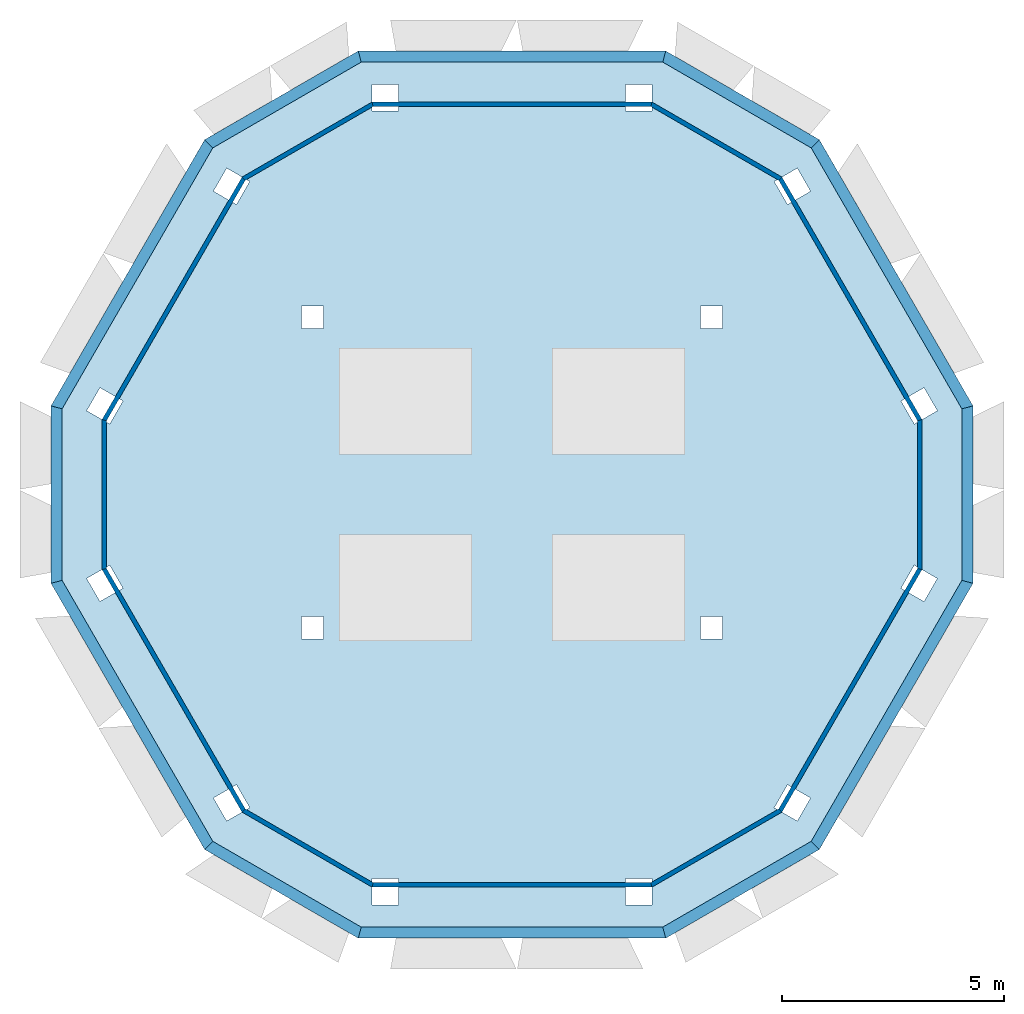
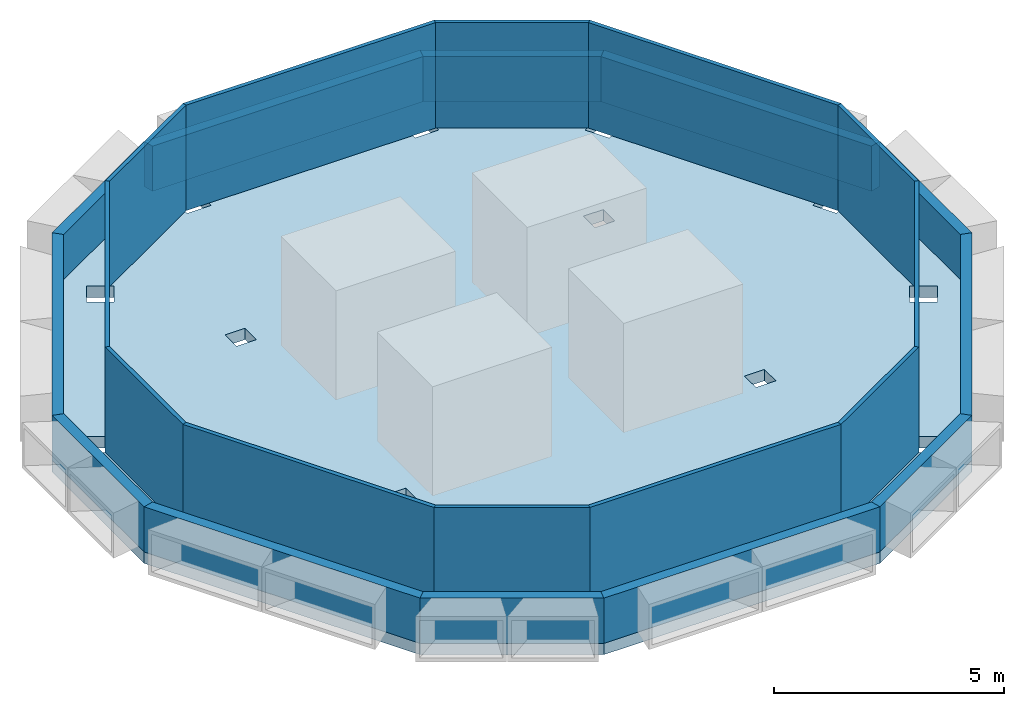
# One storey, part 1 of 3: 24 walls, 1 slab.
"""IFC4 building model written with IfcOpenShell, lengths in metres."""

from ifc_helpers import new_model, si_unit, direction, frame, origin, place, context, subcontext, project, spatial, polyline, outline, extrude, material, layer, layer_set, type_object, element, save


model = new_model("IFC4")

# Units and contexts
model_context = context("Model", 3, precision=1e-05, world=origin(), true_north=direction((0.0, 1.0)))
body_context = subcontext(model_context, "Body", "Model", "MODEL_VIEW")
ifc_project = project(units=[si_unit("LENGTHUNIT", "METRE"), si_unit("AREAUNIT", "SQUARE_METRE"), si_unit("VOLUMEUNIT", "CUBIC_METRE"), si_unit("PLANEANGLEUNIT", "RADIAN"), si_unit("MASSUNIT", "GRAM", prefix="KILO")], contexts=[model_context])

# Site, building, storey
site_placement = place(None, origin())
site = spatial("IfcSite", under=ifc_project, at=site_placement, CompositionType="ELEMENT")
building_placement = place(site_placement, origin())
building = spatial("IfcBuilding", under=site, at=building_placement, Name="Beryl Residences", CompositionType="ELEMENT")
storey_placement = place(building_placement, frame((0.0, 0.0, 262.800048828125)))
storey = spatial("IfcBuildingStorey", under=building, at=storey_placement, Name="ROOF", CompositionType="ELEMENT", Elevation=262.800048828125)

# Slab
ifc_material_1 = material(Name="Concrete C40/50", Category="concrete")
ifc_layer_1 = layer(ifc_material_1, 0.300048828125)
ifc_layer_set_1 = layer_set([ifc_layer_1], Name="SL17 roof top slab 300 mm C40/50")
slab_type = type_object("IfcSlabType", Name="SL17 roof top slab 300 mm C40/50", PredefinedType="ROOF", material=ifc_layer_set_1)
slab_placement = place(storey_placement, frame((0.0, 0.0, -0.300048828125)))
element("IfcSlab", 1, at=slab_placement, inside=storey, type_object=slab_type, Name="ROOF 1", PredefinedType="ROOF", context=body_context, shape_type="SweptSolid", body=[
    extrude(outline(polyline([(6.928955078125, 8.0), (10.39208984375, 2.0), (10.39208984375, -2.0), (6.928955078125, -8.0), (3.465087890625, -10.0), (-3.465087890625, -10.0), (-6.928955078125, -8.0), (-10.39208984375, -2.0), (-10.39208984375, 2.0), (-6.928955078125, 8.0), (-3.465087890625, 10.0), (3.465087890625, 10.0), (6.928955078125, 8.0)]), holes=[polyline([(9.289794921875, 2.409912109375), (8.770263671875, 2.10986328125), (9.0703125, 1.590087890625), (9.58984375, 1.89013671875), (9.289794921875, 2.409912109375)]), polyline([(9.5888671875, -1.89111328125), (9.069091796875, -1.59130859375), (8.769287109375, -2.11083984375), (9.288818359375, -2.410888671875), (9.5888671875, -1.89111328125)]), polyline([(6.731689453125, -6.840087890625), (6.212158203125, -6.540283203125), (5.912109375, -7.059814453125), (6.431884765625, -7.35986328125), (6.731689453125, -6.840087890625)]), polyline([(6.431884765625, 7.35888671875), (5.912109375, 7.058837890625), (6.212158203125, 6.539306640625), (6.731689453125, 6.839111328125), (6.431884765625, 7.35888671875)]), polyline([(4.75, 3.75), (4.75, 4.25), (4.25, 4.25), (4.25, 3.75), (4.75, 3.75)]), polyline([(4.75, -3.25), (4.75, -2.75), (4.25, -2.75), (4.25, -3.25), (4.75, -3.25)]), polyline([(2.55908203125, 9.25), (2.55908203125, 8.64990234375), (3.158935546875, 8.64990234375), (3.158935546875, 9.25), (2.55908203125, 9.25)]), polyline([(3.158935546875, -9.25), (3.158935546875, -8.64990234375), (2.55908203125, -8.64990234375), (2.55908203125, -9.25), (3.158935546875, -9.25)]), polyline([(-2.55908203125, -9.25), (-2.55908203125, -8.64990234375), (-3.158935546875, -8.64990234375), (-3.158935546875, -9.25), (-2.55908203125, -9.25)]), polyline([(-3.158935546875, 9.25), (-3.158935546875, 8.64990234375), (-2.55908203125, 8.64990234375), (-2.55908203125, 9.25), (-3.158935546875, 9.25)]), polyline([(-4.25, 3.75), (-4.25, 4.25), (-4.75, 4.25), (-4.75, 3.75), (-4.25, 3.75)]), polyline([(-4.25, -3.25), (-4.25, -2.75), (-4.75, -2.75), (-4.75, -3.25), (-4.25, -3.25)]), polyline([(-6.431884765625, -7.35888671875), (-5.912109375, -7.058837890625), (-6.212158203125, -6.539306640625), (-6.731689453125, -6.839111328125), (-6.431884765625, -7.35888671875)]), polyline([(-6.731689453125, 6.840087890625), (-6.212158203125, 6.540283203125), (-5.912109375, 7.059814453125), (-6.431884765625, 7.35986328125), (-6.731689453125, 6.840087890625)]), polyline([(-9.5888671875, 1.89111328125), (-9.069091796875, 1.59130859375), (-8.769287109375, 2.11083984375), (-9.288818359375, 2.410888671875), (-9.5888671875, 1.89111328125)]), polyline([(-9.289794921875, -2.409912109375), (-8.770263671875, -2.10986328125), (-9.0703125, -1.590087890625), (-9.58984375, -1.89013671875), (-9.289794921875, -2.409912109375)])]), origin(), (0.0, 0.0, 1.0), 0.300048828125),
])

# Walls
ifc_material_2 = material(Name="Precast concrete C40/50", Category="concrete")
ifc_layer_2 = layer(ifc_material_2, 0.25)
ifc_layer_set_2 = layer_set([ifc_layer_2], Name="PA1 roof parapet 250 mm")
wall_type_1 = type_object("IfcWallType", Name="PA1 roof parapet 250 mm", PredefinedType="PARAPET", material=ifc_layer_set_2)
wall_1_placement = place(storey_placement, frame((3.403076171875, 9.89208984375, 0.0), z_axis=(0.0, 0.0, 1.0), x_axis=(0.865843918487, -0.50031421009, 0.0)))
element("IfcWall", 2, at=wall_1_placement, inside=storey, type_object=wall_type_1, Name="PA1 parapet L81 roof 1", PredefinedType="PARAPET", context=body_context, shape_type="SweptSolid", body=[
    extrude(outline(polyline([(0.067138671875, -0.125), (3.9326171875, -0.125), (3.99951171875, 0.125), (0.0, 0.125), (0.067138671875, -0.125)])), origin(), (0.0, 0.0, 1.0), 1.199951171875),
])
wall_2_placement = place(storey_placement, frame((6.820068359375, 7.93701171875, 0.0), z_axis=(0.0, 0.0, 1.0), x_axis=(0.500035662153, -0.866004813252, 0.0)))
element("IfcWall", 3, at=wall_2_placement, inside=storey, type_object=wall_type_1, Name="PA1 parapet L81 roof 2", PredefinedType="PARAPET", context=body_context, shape_type="SweptSolid", body=[
    extrude(outline(polyline([(0.06689453125, -0.125), (6.8603515625, -0.125), (6.92724609375, 0.125), (0.0, 0.125), (0.06689453125, -0.125)])), origin(), (0.0, 0.0, 1.0), 1.199951171875),
])
wall_3_placement = place(storey_placement, frame((10.26708984375, 2.0, 0.0), z_axis=(0.0, 0.0, 1.0), x_axis=(0.0, -1.0, 0.0)))
element("IfcWall", 4, at=wall_3_placement, inside=storey, type_object=wall_type_1, Name="PA1 parapet L81 roof 3", PredefinedType="PARAPET", context=body_context, shape_type="SweptSolid", body=[
    extrude(outline(polyline([(0.06689453125, -0.125), (3.93310546875, -0.125), (4.0, 0.125), (0.0, 0.125), (0.06689453125, -0.125)])), origin(), (0.0, 0.0, 1.0), 1.199951171875),
])
wall_4_placement = place(storey_placement, frame((10.283935546875, -1.93798828125, 0.0), z_axis=(0.0, 0.0, 1.0), x_axis=(-0.500035662153, -0.866004813252, 0.0)))
element("IfcWall", 5, at=wall_4_placement, inside=storey, type_object=wall_type_1, Name="PA1 parapet L81 roof 4", PredefinedType="PARAPET", context=body_context, shape_type="SweptSolid", body=[
    extrude(outline(polyline([(0.06689453125, -0.125), (6.8603515625, -0.125), (6.92724609375, 0.125), (0.0, 0.125), (0.06689453125, -0.125)])), origin(), (0.0, 0.0, 1.0), 1.199951171875),
])
wall_5_placement = place(storey_placement, frame((6.865966796875, -7.89111328125, 0.0), z_axis=(0.0, 0.0, 1.0), x_axis=(-0.865843918487, -0.50031421009, 0.0)))
element("IfcWall", 6, at=wall_5_placement, inside=storey, type_object=wall_type_1, Name="PA1 parapet L81 roof 5", PredefinedType="PARAPET", context=body_context, shape_type="SweptSolid", body=[
    extrude(outline(polyline([(0.06689453125, -0.125), (3.932373046875, -0.125), (3.99951171875, 0.125), (0.0, 0.125), (0.06689453125, -0.125)])), origin(), (0.0, 0.0, 1.0), 1.199951171875),
])
wall_6_placement = place(storey_placement, frame((3.466064453125, -9.875, 0.0), z_axis=(0.0, 0.0, 1.0), x_axis=(-1.0, 0.0, 0.0)))
element("IfcWall", 7, at=wall_6_placement, inside=storey, type_object=wall_type_1, Name="PA1 parapet L81 roof 6", PredefinedType="PARAPET", context=body_context, shape_type="SweptSolid", body=[
    extrude(outline(polyline([(0.067138671875, -0.125), (6.864990234375, -0.125), (6.93212890625, 0.125), (0.0, 0.125), (0.067138671875, -0.125)])), origin(), (0.0, 0.0, 1.0), 1.199951171875),
])
wall_7_placement = place(storey_placement, frame((-3.403076171875, -9.89208984375, 0.0), z_axis=(0.0, 0.0, 1.0), x_axis=(-0.865843918487, 0.50031421009, 0.0)))
element("IfcWall", 8, at=wall_7_placement, inside=storey, type_object=wall_type_1, Name="PA1 parapet L81 roof 7", PredefinedType="PARAPET", context=body_context, shape_type="SweptSolid", body=[
    extrude(outline(polyline([(0.067138671875, -0.125), (3.9326171875, -0.125), (3.99951171875, 0.125), (0.0, 0.125), (0.067138671875, -0.125)])), origin(), (0.0, 0.0, 1.0), 1.199951171875),
])
wall_8_placement = place(storey_placement, frame((-6.820068359375, -7.93701171875, 0.0), z_axis=(0.0, 0.0, 1.0), x_axis=(-0.500035662153, 0.866004813252, 0.0)))
element("IfcWall", 9, at=wall_8_placement, inside=storey, type_object=wall_type_1, Name="PA1 parapet L81 roof 8", PredefinedType="PARAPET", context=body_context, shape_type="SweptSolid", body=[
    extrude(outline(polyline([(0.06689453125, -0.125), (6.8603515625, -0.125), (6.92724609375, 0.125), (0.0, 0.125), (0.06689453125, -0.125)])), origin(), (0.0, 0.0, 1.0), 1.199951171875),
])
wall_9_placement = place(storey_placement, frame((-10.26708984375, -2.0, 0.0), z_axis=(0.0, 0.0, 1.0), x_axis=(0.0, 1.0, 0.0)))
element("IfcWall", 10, at=wall_9_placement, inside=storey, type_object=wall_type_1, Name="PA1 parapet L81 roof 9", PredefinedType="PARAPET", context=body_context, shape_type="SweptSolid", body=[
    extrude(outline(polyline([(0.06689453125, -0.125), (3.93310546875, -0.125), (4.0, 0.125), (0.0, 0.125), (0.06689453125, -0.125)])), origin(), (0.0, 0.0, 1.0), 1.199951171875),
])
wall_10_placement = place(storey_placement, frame((-10.283935546875, 1.93798828125, 0.0), z_axis=(0.0, 0.0, 1.0), x_axis=(0.500035662153, 0.866004813252, 0.0)))
element("IfcWall", 11, at=wall_10_placement, inside=storey, type_object=wall_type_1, Name="PA1 parapet L81 roof 10", PredefinedType="PARAPET", context=body_context, shape_type="SweptSolid", body=[
    extrude(outline(polyline([(0.06689453125, -0.125), (6.8603515625, -0.125), (6.92724609375, 0.125), (0.0, 0.125), (0.06689453125, -0.125)])), origin(), (0.0, 0.0, 1.0), 1.199951171875),
])
wall_11_placement = place(storey_placement, frame((-6.865966796875, 7.89111328125, 0.0), z_axis=(0.0, 0.0, 1.0), x_axis=(0.865843918487, 0.50031421009, 0.0)))
element("IfcWall", 12, at=wall_11_placement, inside=storey, type_object=wall_type_1, Name="PA1 parapet L81 roof 11", PredefinedType="PARAPET", context=body_context, shape_type="SweptSolid", body=[
    extrude(outline(polyline([(0.06689453125, -0.125), (3.932373046875, -0.125), (3.99951171875, 0.125), (0.0, 0.125), (0.06689453125, -0.125)])), origin(), (0.0, 0.0, 1.0), 1.199951171875),
])
wall_12_placement = place(storey_placement, frame((-3.466064453125, 9.875, 0.0), z_axis=(0.0, 0.0, 1.0), x_axis=(1.0, 0.0, 0.0)))
element("IfcWall", 13, at=wall_12_placement, inside=storey, type_object=wall_type_1, Name="PA1 parapet L81 roof 12", PredefinedType="PARAPET", context=body_context, shape_type="SweptSolid", body=[
    extrude(outline(polyline([(0.067138671875, -0.125), (6.864990234375, -0.125), (6.93212890625, 0.125), (0.0, 0.125), (0.067138671875, -0.125)])), origin(), (0.0, 0.0, 1.0), 1.199951171875),
])
ifc_material_3 = material(Name="Aluminium louvres", Category="aluminium")
ifc_layer_3 = layer(ifc_material_3, 0.10009765625)
ifc_layer_set_3 = layer_set([ifc_layer_3], Name="PS1 louvred plant screen 100 mm")
wall_type_2 = type_object("IfcWallType", Name="PS1 louvred plant screen 100 mm", PredefinedType="SOLIDWALL", material=ifc_layer_set_3)
wall_13_placement = place(storey_placement, frame((3.131103515625, 8.806884765625, 0.0), z_axis=(0.0, 0.0, 1.0), x_axis=(0.866059450854, -0.499941024108, 0.0)))
element("IfcWall", 14, at=wall_13_placement, inside=storey, type_object=wall_type_2, Name="PS1 plant screen L81 1", PredefinedType="SOLIDWALL", context=body_context, shape_type="SweptSolid", body=[
    extrude(outline(polyline([(0.02685546875, -0.050048828125), (3.357421875, -0.050048828125), (3.38427734375, 0.050048828125), (0.0, 0.050048828125), (0.02685546875, -0.050048828125)])), origin(), (0.0, 0.0, 1.0), 2.800048828125),
])
wall_14_placement = place(storey_placement, frame((6.04296875, 7.134033203125, 0.0), z_axis=(0.0, 0.0, 1.0), x_axis=(0.499953456327, -0.866052274119, 0.0)))
element("IfcWall", 15, at=wall_14_placement, inside=storey, type_object=wall_type_2, Name="PS1 plant screen L81 2", PredefinedType="SOLIDWALL", context=body_context, shape_type="SweptSolid", body=[
    extrude(outline(polyline([(0.02685546875, -0.050048828125), (6.28564453125, -0.050048828125), (6.3125, 0.050048828125), (0.0, 0.050048828125), (0.02685546875, -0.050048828125)])), origin(), (0.0, 0.0, 1.0), 2.800048828125),
])
wall_15_placement = place(storey_placement, frame((9.19189453125, 1.69189453125, 0.0), z_axis=(0.0, 0.0, 1.0), x_axis=(0.0, -1.0, 0.0)))
element("IfcWall", 16, at=wall_15_placement, inside=storey, type_object=wall_type_2, Name="PS1 plant screen L81 3", PredefinedType="SOLIDWALL", context=body_context, shape_type="SweptSolid", body=[
    extrude(outline(polyline([(0.02685546875, -0.050048828125), (3.35693359375, -0.050048828125), (3.3837890625, 0.050048828125), (0.0, 0.050048828125), (0.02685546875, -0.050048828125)])), origin(), (0.0, 0.0, 1.0), 2.800048828125),
])
wall_16_placement = place(storey_placement, frame((9.198974609375, -1.6669921875, 0.0), z_axis=(0.0, 0.0, 1.0), x_axis=(-0.499953456327, -0.866052274119, 0.0)))
element("IfcWall", 17, at=wall_16_placement, inside=storey, type_object=wall_type_2, Name="PS1 plant screen L81 4", PredefinedType="SOLIDWALL", context=body_context, shape_type="SweptSolid", body=[
    extrude(outline(polyline([(0.02685546875, -0.050048828125), (6.28564453125, -0.050048828125), (6.3125, 0.050048828125), (0.0, 0.050048828125), (0.02685546875, -0.050048828125)])), origin(), (0.0, 0.0, 1.0), 2.800048828125),
])
wall_17_placement = place(storey_placement, frame((6.06201171875, -7.114990234375, 0.0), z_axis=(0.0, 0.0, 1.0), x_axis=(-0.866059450854, -0.499941024108, 0.0)))
element("IfcWall", 18, at=wall_17_placement, inside=storey, type_object=wall_type_2, Name="PS1 plant screen L81 5", PredefinedType="SOLIDWALL", context=body_context, shape_type="SweptSolid", body=[
    extrude(outline(polyline([(0.02685546875, -0.050048828125), (3.357421875, -0.050048828125), (3.38427734375, 0.050048828125), (0.0, 0.050048828125), (0.02685546875, -0.050048828125)])), origin(), (0.0, 0.0, 1.0), 2.800048828125),
])
wall_18_placement = place(storey_placement, frame((3.156005859375, -8.800048828125, 0.0), z_axis=(0.0, 0.0, 1.0), x_axis=(-1.0, 0.0, 0.0)))
element("IfcWall", 19, at=wall_18_placement, inside=storey, type_object=wall_type_2, Name="PS1 plant screen L81 6", PredefinedType="SOLIDWALL", context=body_context, shape_type="SweptSolid", body=[
    extrude(outline(polyline([(0.02685546875, -0.050048828125), (6.28515625, -0.050048828125), (6.31201171875, 0.050048828125), (0.0, 0.050048828125), (0.02685546875, -0.050048828125)])), origin(), (0.0, 0.0, 1.0), 2.800048828125),
])
wall_19_placement = place(storey_placement, frame((-3.131103515625, -8.806884765625, 0.0), z_axis=(0.0, 0.0, 1.0), x_axis=(-0.866059450854, 0.499941024108, 0.0)))
element("IfcWall", 20, at=wall_19_placement, inside=storey, type_object=wall_type_2, Name="PS1 plant screen L81 7", PredefinedType="SOLIDWALL", context=body_context, shape_type="SweptSolid", body=[
    extrude(outline(polyline([(0.02685546875, -0.050048828125), (3.357421875, -0.050048828125), (3.38427734375, 0.050048828125), (0.0, 0.050048828125), (0.02685546875, -0.050048828125)])), origin(), (0.0, 0.0, 1.0), 2.800048828125),
])
wall_20_placement = place(storey_placement, frame((-6.04296875, -7.134033203125, 0.0), z_axis=(0.0, 0.0, 1.0), x_axis=(-0.499953456327, 0.866052274119, 0.0)))
element("IfcWall", 21, at=wall_20_placement, inside=storey, type_object=wall_type_2, Name="PS1 plant screen L81 8", PredefinedType="SOLIDWALL", context=body_context, shape_type="SweptSolid", body=[
    extrude(outline(polyline([(0.02685546875, -0.050048828125), (6.28564453125, -0.050048828125), (6.3125, 0.050048828125), (0.0, 0.050048828125), (0.02685546875, -0.050048828125)])), origin(), (0.0, 0.0, 1.0), 2.800048828125),
])
wall_21_placement = place(storey_placement, frame((-9.19189453125, -1.69189453125, 0.0), z_axis=(0.0, 0.0, 1.0), x_axis=(0.0, 1.0, 0.0)))
element("IfcWall", 22, at=wall_21_placement, inside=storey, type_object=wall_type_2, Name="PS1 plant screen L81 9", PredefinedType="SOLIDWALL", context=body_context, shape_type="SweptSolid", body=[
    extrude(outline(polyline([(0.02685546875, -0.050048828125), (3.35693359375, -0.050048828125), (3.3837890625, 0.050048828125), (0.0, 0.050048828125), (0.02685546875, -0.050048828125)])), origin(), (0.0, 0.0, 1.0), 2.800048828125),
])
wall_22_placement = place(storey_placement, frame((-9.198974609375, 1.6669921875, 0.0), z_axis=(0.0, 0.0, 1.0), x_axis=(0.499953456327, 0.866052274119, 0.0)))
element("IfcWall", 23, at=wall_22_placement, inside=storey, type_object=wall_type_2, Name="PS1 plant screen L81 10", PredefinedType="SOLIDWALL", context=body_context, shape_type="SweptSolid", body=[
    extrude(outline(polyline([(0.02685546875, -0.050048828125), (6.28564453125, -0.050048828125), (6.3125, 0.050048828125), (0.0, 0.050048828125), (0.02685546875, -0.050048828125)])), origin(), (0.0, 0.0, 1.0), 2.800048828125),
])
wall_23_placement = place(storey_placement, frame((-6.06201171875, 7.114990234375, 0.0), z_axis=(0.0, 0.0, 1.0), x_axis=(0.866059450854, 0.499941024108, 0.0)))
element("IfcWall", 24, at=wall_23_placement, inside=storey, type_object=wall_type_2, Name="PS1 plant screen L81 11", PredefinedType="SOLIDWALL", context=body_context, shape_type="SweptSolid", body=[
    extrude(outline(polyline([(0.02685546875, -0.050048828125), (3.357421875, -0.050048828125), (3.38427734375, 0.050048828125), (0.0, 0.050048828125), (0.02685546875, -0.050048828125)])), origin(), (0.0, 0.0, 1.0), 2.800048828125),
])
wall_24_placement = place(storey_placement, frame((-3.156005859375, 8.800048828125, 0.0), z_axis=(0.0, 0.0, 1.0), x_axis=(1.0, 0.0, 0.0)))
element("IfcWall", 25, at=wall_24_placement, inside=storey, type_object=wall_type_2, Name="PS1 plant screen L81 12", PredefinedType="SOLIDWALL", context=body_context, shape_type="SweptSolid", body=[
    extrude(outline(polyline([(0.02685546875, -0.050048828125), (6.28515625, -0.050048828125), (6.31201171875, 0.050048828125), (0.0, 0.050048828125), (0.02685546875, -0.050048828125)])), origin(), (0.0, 0.0, 1.0), 2.800048828125),
])

save(model, "model.ifc")
